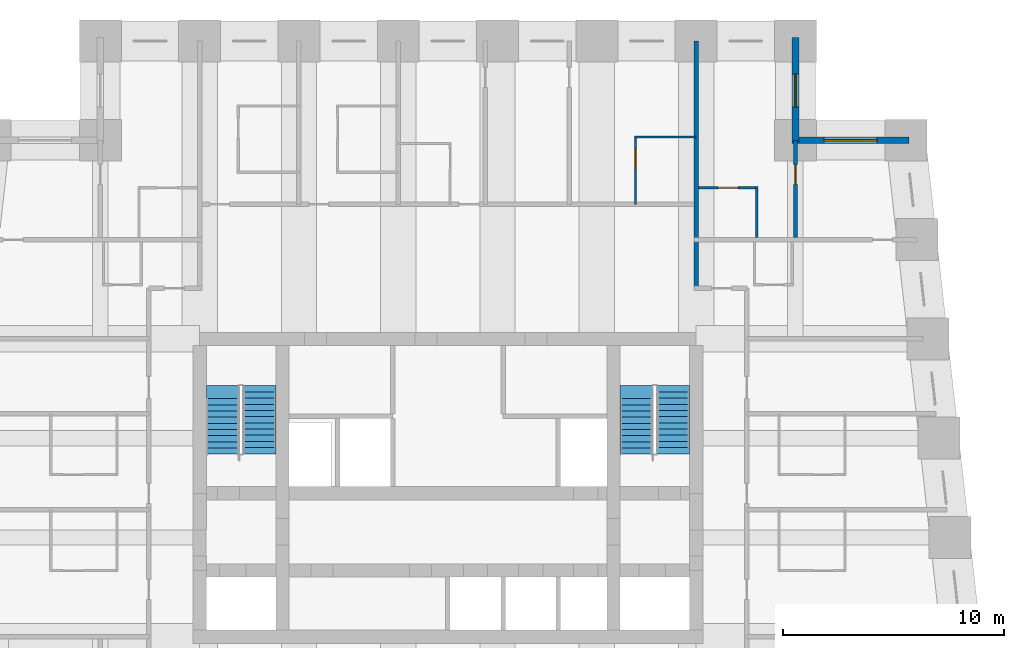
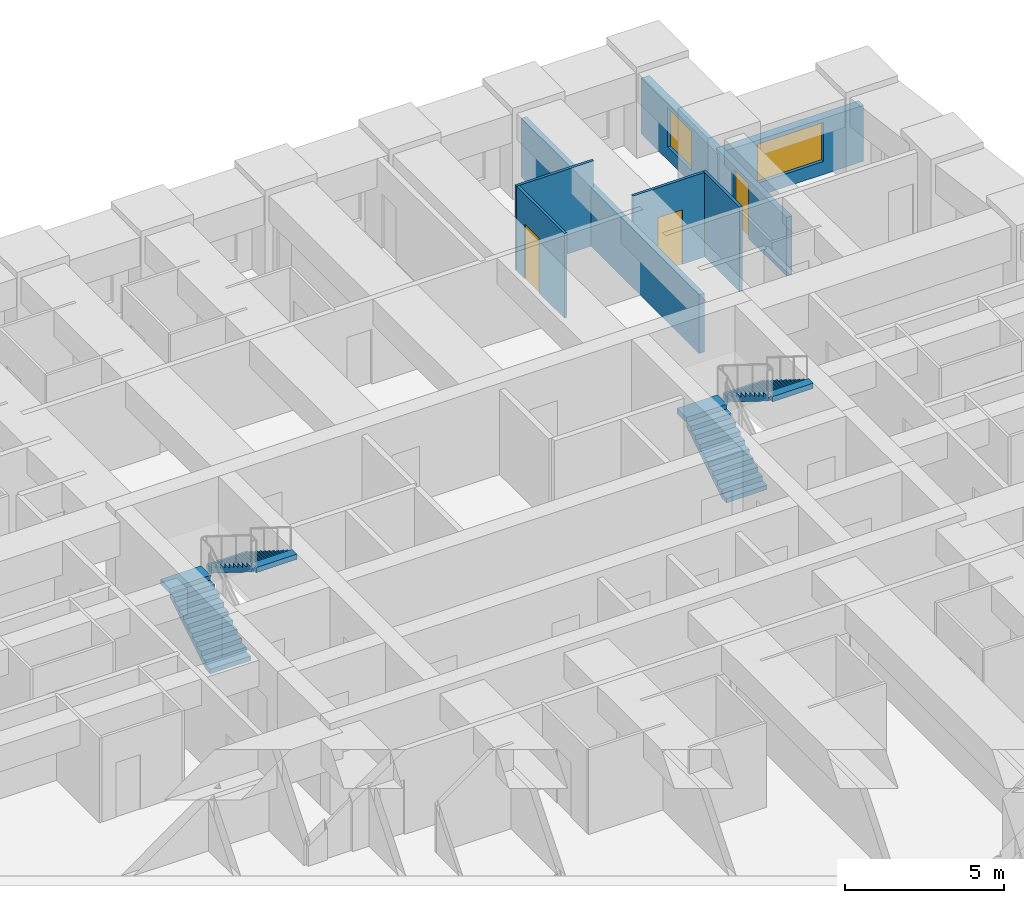
# One storey, part 7 of 8: 8 walls, 4 stair flights, 3 doors, 2 windows, 5 openings, 2 elements without a shape of their own.
"""IFC4 building model written with IfcOpenShell, lengths in metres."""

from ifc_helpers import new_model, si_unit, direction, frame, frame_2d, origin, place, context, subcontext, project, spatial, polyline, rectangle, outline, extrude, material, layer, layer_set, type_object, element, fill, aggregate, save


model = new_model("IFC4")

# Units and contexts
model_context = context("Model", 3, precision=1e-05, world=origin(), true_north=direction((0.0, 1.0)))
body_context = subcontext(model_context, "Body", "Model", "MODEL_VIEW")
ifc_project = project(units=[si_unit("LENGTHUNIT", "METRE"), si_unit("AREAUNIT", "SQUARE_METRE"), si_unit("VOLUMEUNIT", "CUBIC_METRE"), si_unit("PLANEANGLEUNIT", "RADIAN"), si_unit("MASSUNIT", "GRAM", prefix="KILO")], contexts=[model_context])

# Site, building, storey
site_placement = place(None, origin())
site = spatial("IfcSite", under=ifc_project, at=site_placement, CompositionType="ELEMENT")
building_placement = place(site_placement, origin())
building = spatial("IfcBuilding", under=site, at=building_placement, Name="Kilele Tower Hotel", CompositionType="ELEMENT")
storey_placement = place(building_placement, frame((0.0, 0.0, 103.89990234375)))
storey = spatial("IfcBuildingStorey", under=building, at=storey_placement, Name="L26", CompositionType="ELEMENT", Elevation=103.89990234375)

# Wall
ifc_material_1 = material(Name="Moisture-resistant board")
ifc_layer_1 = layer(ifc_material_1, 0.10009765625)
ifc_layer_set_1 = layer_set([ifc_layer_1], Name="Moisture-resistant board")
wall_type_1 = type_object("IfcWallType", Name="Bathroom partition 100", PredefinedType="PLUMBINGWALL", material=ifc_layer_set_1)
wall_1_placement = place(storey_placement, frame((33.199951171875, 36.14990234375, 0.0), z_axis=(0.0, 0.0, 1.0), x_axis=(1.0, 0.0, 0.0)))
element("IfcWall", 1, at=wall_1_placement, inside=storey, type_object=wall_type_1, Name="Bathroom partition 100 L26", PredefinedType="PLUMBINGWALL", context=body_context, shape_type="SweptSolid", body=[
    extrude(rectangle(XDim=2.800048828125, YDim=0.10009765625, at=frame_2d((1.39990234375, 0.0))), origin(), (0.0, 0.0, 1.0), 3.25),
])

# Wall, opening, door
wall_2_placement = place(storey_placement, frame((33.25, 33.10009765625, 0.0), z_axis=(0.0, 0.0, 1.0), x_axis=(0.0, 1.0, 0.0)))
wall_2 = element("IfcWall", 2, at=wall_2_placement, inside=storey, type_object=wall_type_1, Name="Bathroom partition 100 L26", PredefinedType="PLUMBINGWALL", context=body_context, shape_type="SweptSolid", body=[
    extrude(rectangle(XDim=3.099853515625, YDim=0.10009765625, at=frame_2d((1.5498046875, 0.0))), origin(), (0.0, 0.0, 1.0), 3.25),
])
opening_1_placement = place(wall_2_placement, frame((1.60009765625, 0.0, 0.0)))
opening_1 = element("IfcOpeningElement", 3, at=opening_1_placement, cuts=wall_2, Name="Opening D2A", PredefinedType="OPENING", context=body_context, shape_type="SweptSolid", body=[
    extrude(rectangle(XDim=0.89990234375, YDim=2.10009765625, at=frame_2d((0.449951171875, 1.050048828125))), frame((0.0, 0.06005859375, 0.0), z_axis=(0.0, -1.0, 0.0), x_axis=(1.0, 0.0, 0.0)), (0.0, 0.0, 1.0), 0.1201171875),
])
ifc_material_2 = material(Name="Timber door leaf in hardwood frame", Category="wood")
door_type_1 = type_object("IfcDoorType", Name="Bathroom door 900", OperationType="SINGLE_SWING_LEFT", PredefinedType="DOOR", material=ifc_material_2)
door_1_placement = place(opening_1_placement, origin())
door_1 = element("IfcDoor", 4, at=door_1_placement, inside=storey, type_object=door_type_1, Name="Bathroom door 2613B", OperationType="SINGLE_SWING_LEFT", OverallHeight=2.10009765625, OverallWidth=0.89990234375, PredefinedType="DOOR", context=body_context, shape_type="SweptSolid", body=[
    extrude(rectangle(XDim=0.89990234375, YDim=2.10009765625, at=frame_2d((0.449951171875, 1.050048828125))), frame((0.0, 0.02490234375, 0.0), z_axis=(0.0, -1.0, 0.0), x_axis=(1.0, 0.0, 0.0)), (0.0, 0.0, 1.0), 0.050048828125),
])
fill(opening_1, door_1)

# Wall
wall_3_placement = place(storey_placement, frame((38.75, 31.60009765625, 0.0), z_axis=(0.0, 0.0, 1.0), x_axis=(0.0, 1.0, 0.0)))
element("IfcWall", 5, at=wall_3_placement, inside=storey, type_object=wall_type_1, Name="Bathroom partition 100 L26", PredefinedType="PLUMBINGWALL", context=body_context, shape_type="SweptSolid", body=[
    extrude(rectangle(XDim=2.2998046875, YDim=0.10009765625, at=frame_2d((1.14990234375, 0.0))), origin(), (0.0, 0.0, 1.0), 3.25),
])

# Wall, opening, door
wall_4_placement = place(storey_placement, frame((36.10009765625, 33.85009765625, 0.0), z_axis=(0.0, 0.0, 1.0), x_axis=(1.0, 0.0, 0.0)))
wall_4 = element("IfcWall", 6, at=wall_4_placement, inside=storey, type_object=wall_type_1, Name="Bathroom partition 100 L26", PredefinedType="PLUMBINGWALL", context=body_context, shape_type="SweptSolid", body=[
    extrude(rectangle(XDim=2.699951171875, YDim=0.10009765625, at=frame_2d((1.35009765625, 0.0))), origin(), (0.0, 0.0, 1.0), 3.25),
])
opening_2_placement = place(wall_4_placement, frame((0.89990234375, 0.0, 0.0)))
opening_2 = element("IfcOpeningElement", 7, at=opening_2_placement, cuts=wall_4, Name="Opening D2A", PredefinedType="OPENING", context=body_context, shape_type="SweptSolid", body=[
    extrude(rectangle(XDim=0.89990234375, YDim=2.10009765625, at=frame_2d((0.449951171875, 1.050048828125))), frame((0.0, 0.06005859375, 0.0), z_axis=(0.0, -1.0, 0.0), x_axis=(1.0, 0.0, 0.0)), (0.0, 0.0, 1.0), 0.1201171875),
])
door_2_placement = place(opening_2_placement, origin())
door_2 = element("IfcDoor", 8, at=door_2_placement, inside=storey, type_object=door_type_1, Name="Bathroom door 2624B", OperationType="SINGLE_SWING_LEFT", OverallHeight=2.10009765625, OverallWidth=0.89990234375, PredefinedType="DOOR", context=body_context, shape_type="SweptSolid", body=[
    extrude(rectangle(XDim=0.89990234375, YDim=2.10009765625, at=frame_2d((0.449951171875, 1.050048828125))), frame((0.0, 0.02490234375, 0.0), z_axis=(0.0, -1.0, 0.0), x_axis=(1.0, 0.0, 0.0)), (0.0, 0.0, 1.0), 0.050048828125),
])
fill(opening_2, door_2)

ifc_material_3 = material(Name="Blockwork, plastered both sides", Category="masonry")
ifc_layer_2 = layer(ifc_material_3, 0.199951171875)
ifc_layer_set_2 = layer_set([ifc_layer_2], Name="Blockwork, plastered both sides")
wall_type_2 = type_object("IfcWallType", Name="Partition wall 200", PredefinedType="PARTITIONING", material=ifc_layer_set_2)
wall_5_placement = place(storey_placement, frame((40.5, 31.60009765625, 0.0), z_axis=(0.0, 0.0, 1.0), x_axis=(0.0, 1.0, 0.0)))
wall_5 = element("IfcWall", 9, at=wall_5_placement, inside=storey, type_object=wall_type_2, Name="Partition wall 200 L26", PredefinedType="PARTITIONING", context=body_context, shape_type="SweptSolid", body=[
    extrude(rectangle(XDim=4.39990234375, YDim=0.199951171875, at=frame_2d((2.199951171875, 0.0))), origin(), (0.0, 0.0, 1.0), 2.25),
])
opening_3_placement = place(wall_5_placement, frame((2.39990234375, 0.0, 0.0)))
opening_3 = element("IfcOpeningElement", 10, at=opening_3_placement, cuts=wall_5, Name="Opening D3", PredefinedType="OPENING", context=body_context, shape_type="SweptSolid", body=[
    extrude(rectangle(XDim=0.89990234375, YDim=2.10009765625, at=frame_2d((0.449951171875, 1.050048828125))), frame((0.0, 0.10986328125, 0.0), z_axis=(0.0, -1.0, 0.0), x_axis=(1.0, 0.0, 0.0)), (0.0, 0.0, 1.0), 0.219970703125),
])
ifc_material_4 = material(Name="Timber door leaf in hardwood frame", Category="wood")
door_type_2 = type_object("IfcDoorType", Name="Suite internal door 900", OperationType="SINGLE_SWING_LEFT", PredefinedType="DOOR", material=ifc_material_4)
door_3_placement = place(opening_3_placement, origin())
door_3 = element("IfcDoor", 11, at=door_3_placement, inside=storey, type_object=door_type_2, Name="Suite door 2625", OperationType="SINGLE_SWING_RIGHT", OverallHeight=2.10009765625, OverallWidth=0.89990234375, PredefinedType="DOOR", context=body_context, shape_type="SweptSolid", body=[
    extrude(rectangle(XDim=0.89990234375, YDim=2.10009765625, at=frame_2d((0.449951171875, 1.050048828125))), frame((0.0, 0.02490234375, 0.0), z_axis=(0.0, -1.0, 0.0), x_axis=(1.0, 0.0, 0.0)), (0.0, 0.0, 1.0), 0.050048828125),
])
fill(opening_3, door_3)

# Wall
ifc_material_5 = material(Name="Blockwork, plastered both sides", Category="masonry")
ifc_layer_3 = layer(ifc_material_5, 0.199951171875)
ifc_layer_set_3 = layer_set([ifc_layer_3], Name="Blockwork, plastered both sides")
wall_type_3 = type_object("IfcWallType", Name="Party wall 200", PredefinedType="PARTITIONING", material=ifc_layer_set_3)
wall_6_placement = place(storey_placement, frame((36.0, 29.300048828125, 0.0), z_axis=(0.0, 0.0, 1.0), x_axis=(0.0, 1.0, 0.0)))
element("IfcWall", 12, at=wall_6_placement, inside=storey, type_object=wall_type_3, Name="Party wall 200 L26", PredefinedType="PARTITIONING", context=body_context, shape_type="SweptSolid", body=[
    extrude(rectangle(XDim=11.199951171875, YDim=0.199951171875, at=frame_2d((5.60009765625, 0.0))), origin(), (0.0, 0.0, 1.0), 2.25),
])

# Wall, opening, window
ifc_material_6 = material(Name="Concrete C40/50 precast", Category="concrete")
ifc_layer_4 = layer(ifc_material_6, 0.260009765625, Name="Precast backing", Category="LoadBearing")
ifc_material_7 = material(Name="Reconstituted stone finish", Category="masonry")
ifc_layer_5 = layer(ifc_material_7, 0.0400390625, Name="Face mix", Category="Finish")
ifc_layer_set_4 = layer_set([ifc_layer_4, ifc_layer_5], Name="Precast concrete C40/50, reconstituted stone finish")
wall_type_4 = type_object("IfcWallType", Name="Precast stone facade wall 300", PredefinedType="STANDARD", material=ifc_layer_set_4)
wall_7_placement = place(storey_placement, frame((45.64990234375, 36.0, 0.0), z_axis=(0.0, 0.0, 1.0), x_axis=(-1.0, 0.0, 0.0)))
wall_7 = element("IfcWall", 13, at=wall_7_placement, inside=storey, type_object=wall_type_4, Name="Facade wall L26 edge 7", PredefinedType="STANDARD", context=body_context, shape_type="SweptSolid", body=[
    extrude(rectangle(XDim=5.2998046875, YDim=0.300048828125, at=frame_2d((2.64990234375, 0.0))), origin(), (0.0, 0.0, 1.0), 2.150146484375),
])
opening_4_placement = place(wall_7_placement, frame((1.449951171875, 0.0, 0.5)))
opening_4 = element("IfcOpeningElement", 14, at=opening_4_placement, cuts=wall_7, Name="Opening W2", PredefinedType="OPENING", context=body_context, shape_type="SweptSolid", body=[
    extrude(rectangle(XDim=2.39990234375, YDim=1.5, at=frame_2d((1.199951171875, 0.75))), frame((0.0, 0.159912109375, 0.0), z_axis=(0.0, -1.0, 0.0), x_axis=(1.0, 0.0, 0.0)), (0.0, 0.0, 1.0), 0.320068359375),
])
ifc_material_8 = material(Name="Aluminium frame, clear double glazing", Category="aluminium")
window_type_1 = type_object("IfcWindowType", Name="Window W2 2400 x 1500", PartitioningType="SINGLE_PANEL", PredefinedType="WINDOW", material=ifc_material_8)
window_1_placement = place(opening_4_placement, origin())
window_1 = element("IfcWindow", 15, at=window_1_placement, inside=storey, type_object=window_type_1, Name="Window L26", OverallHeight=1.5, OverallWidth=2.39990234375, PartitioningType="SINGLE_PANEL", PredefinedType="WINDOW", context=body_context, shape_type="SweptSolid", body=[
    extrude(rectangle(XDim=2.39990234375, YDim=1.5, at=frame_2d((1.199951171875, 0.75))), frame((0.0, 0.030029296875, 0.0), z_axis=(0.0, -1.0, 0.0), x_axis=(1.0, 0.0, 0.0)), (0.0, 0.0, 1.0), 0.06005859375),
])
fill(opening_4, window_1)

wall_8_placement = place(storey_placement, frame((40.5, 35.85009765625, 0.0), z_axis=(0.0, 0.0, 1.0), x_axis=(0.0, 1.0, 0.0)))
wall_8 = element("IfcWall", 16, at=wall_8_placement, inside=storey, type_object=wall_type_4, Name="Facade wall L26 edge 8", PredefinedType="STANDARD", context=body_context, shape_type="SweptSolid", body=[
    extrude(rectangle(XDim=4.7998046875, YDim=0.300048828125, at=frame_2d((2.39990234375, 0.0))), origin(), (0.0, 0.0, 1.0), 2.150146484375),
])
opening_5_placement = place(wall_8_placement, frame((1.64990234375, 0.0, 0.5)))
opening_5 = element("IfcOpeningElement", 17, at=opening_5_placement, cuts=wall_8, Name="Opening W2", PredefinedType="OPENING", context=body_context, shape_type="SweptSolid", body=[
    extrude(rectangle(XDim=1.5, YDim=1.5, at=frame_2d((0.75, 0.75))), frame((0.0, 0.159912109375, 0.0), z_axis=(0.0, -1.0, 0.0), x_axis=(1.0, 0.0, 0.0)), (0.0, 0.0, 1.0), 0.320068359375),
])
ifc_material_9 = material(Name="Aluminium frame, clear double glazing", Category="aluminium")
window_type_2 = type_object("IfcWindowType", Name="Window W2 1500 x 1500", PartitioningType="SINGLE_PANEL", PredefinedType="WINDOW", material=ifc_material_9)
window_2_placement = place(opening_5_placement, origin())
window_2 = element("IfcWindow", 18, at=window_2_placement, inside=storey, type_object=window_type_2, Name="Window L26", OverallHeight=1.5, OverallWidth=1.5, PartitioningType="SINGLE_PANEL", PredefinedType="WINDOW", context=body_context, shape_type="SweptSolid", body=[
    extrude(rectangle(XDim=1.5, YDim=1.5, at=frame_2d((0.75, 0.75))), frame((0.0, 0.030029296875, 0.0), z_axis=(0.0, -1.0, 0.0), x_axis=(1.0, 0.0, 0.0)), (0.0, 0.0, 1.0), 0.06005859375),
])
fill(opening_5, window_2)

# Stair, stair flights
ifc_material_10 = material(Name="Precast concrete C40/50", Category="concrete")
stair_type = type_object("IfcStairType", Name="Stair 1475 x 3500", PredefinedType="HALF_TURN_STAIR", material=ifc_material_10)
stair_1_placement = place(storey_placement, origin())
stair_1 = element("IfcStair", 19, at=stair_1_placement, inside=storey, type_object=stair_type, Name="Stair 1 L26", PredefinedType="HALF_TURN_STAIR")
ifc_material_11 = material(Name="Precast concrete C40/50", Category="concrete")
stair_flight_type = type_object("IfcStairFlightType", Name="Flight 1475 riser 175.0", PredefinedType="STRAIGHT", material=ifc_material_11)
stair_flight_1_placement = place(storey_placement, frame((14.53759765625, 21.77490234375, 0.0), z_axis=(0.0, 0.0, 1.0), x_axis=(0.0, 1.0, 0.0)))
stair_flight_1 = element("IfcStairFlight", 20, at=stair_flight_1_placement, type_object=stair_flight_type, Name="ST1 flight 1", NumberOfRisers=10, NumberOfTreads=9, PredefinedType="STRAIGHT", RiserHeight=0.175, TreadLength=0.28, context=body_context, shape_type="SweptSolid", body=[
    extrude(outline(polyline([(0.0, 0.0), (0.0, 0.175048828125), (0.280029296875, 0.175048828125), (0.280029296875, 0.35009765625), (0.56005859375, 0.35009765625), (0.56005859375, 0.52490234375), (0.840087890625, 0.52490234375), (0.840087890625, 0.699951171875), (1.1201171875, 0.699951171875), (1.1201171875, 0.875), (1.39990234375, 0.875), (1.39990234375, 1.050048828125), (1.679931640625, 1.050048828125), (1.679931640625, 1.22509765625), (1.9599609375, 1.22509765625), (1.9599609375, 1.39990234375), (2.239990234375, 1.39990234375), (2.239990234375, 1.574951171875), (2.52001953125, 1.574951171875), (2.52001953125, 1.75), (2.52001953125, 1.398193359375), (0.28271484375, 0.0), (0.0, 0.0)])), frame((0.0, 0.737548828125, 0.0), z_axis=(0.0, -1.0, 0.0), x_axis=(1.0, 0.0, 0.0)), (0.0, 0.0, 1.0), 1.47509765625),
    extrude(outline(polyline([(2.52001953125, 0.737548828125), (2.52001953125, -0.7373046875), (3.1201171875, -0.7373046875), (3.1201171875, 0.737548828125), (2.52001953125, 0.737548828125)])), frame((0.0, 0.0, 1.550048828125)), (0.0, 0.0, 1.0), 0.199951171875),
])
stair_flight_2_placement = place(storey_placement, frame((16.21240234375, 24.594970703125, 1.75), z_axis=(0.0, 0.0, 1.0), x_axis=(0.0, -1.0, 0.0)))
stair_flight_2 = element("IfcStairFlight", 21, at=stair_flight_2_placement, type_object=stair_flight_type, Name="ST1 flight 2", NumberOfRisers=10, NumberOfTreads=9, PredefinedType="STRAIGHT", RiserHeight=0.175, TreadLength=0.28, context=body_context, shape_type="SweptSolid", body=[
    extrude(outline(polyline([(0.0, 0.0), (0.0, 0.175048828125), (0.280029296875, 0.175048828125), (0.280029296875, 0.35009765625), (0.56005859375, 0.35009765625), (0.56005859375, 0.52490234375), (0.840087890625, 0.52490234375), (0.840087890625, 0.699951171875), (1.1201171875, 0.699951171875), (1.1201171875, 0.875), (1.39990234375, 0.875), (1.39990234375, 1.050048828125), (1.679931640625, 1.050048828125), (1.679931640625, 1.22509765625), (1.9599609375, 1.22509765625), (1.9599609375, 1.39990234375), (2.239990234375, 1.39990234375), (2.239990234375, 1.574951171875), (2.52001953125, 1.574951171875), (2.52001953125, 1.75), (2.52001953125, 1.398193359375), (0.28271484375, 0.0), (0.0, 0.0)])), frame((0.0, 0.737548828125, 0.0), z_axis=(0.0, -1.0, 0.0), x_axis=(1.0, 0.0, 0.0)), (0.0, 0.0, 1.0), 1.47509765625),
    extrude(outline(polyline([(0.0, -0.7373046875), (0.0, 0.737548828125), (-0.300048828125, 0.737548828125), (-0.300048828125, -0.7373046875), (0.0, -0.7373046875)])), frame((0.0, 0.0, -0.199951171875)), (0.0, 0.0, 1.0), 0.199951171875),
    extrude(outline(polyline([(2.820068359375, -0.7373046875), (2.820068359375, 0.737548828125), (2.52001953125, 0.737548828125), (2.52001953125, -0.7373046875), (2.820068359375, -0.7373046875)])), frame((0.0, 0.0, 1.550048828125)), (0.0, 0.0, 1.0), 0.199951171875),
])
aggregate(stair_1, [stair_flight_1, stair_flight_2])

stair_2_placement = place(storey_placement, origin())
stair_2 = element("IfcStair", 22, at=stair_2_placement, inside=storey, type_object=stair_type, Name="Stair 2 L26", PredefinedType="HALF_TURN_STAIR")
stair_flight_3_placement = place(storey_placement, frame((33.28759765625, 21.77490234375, 0.0), z_axis=(0.0, 0.0, 1.0), x_axis=(0.0, 1.0, 0.0)))
stair_flight_3 = element("IfcStairFlight", 23, at=stair_flight_3_placement, type_object=stair_flight_type, Name="ST2 flight 1", NumberOfRisers=10, NumberOfTreads=9, PredefinedType="STRAIGHT", RiserHeight=0.175, TreadLength=0.28, context=body_context, shape_type="SweptSolid", body=[
    extrude(outline(polyline([(0.0, 0.0), (0.0, 0.175048828125), (0.280029296875, 0.175048828125), (0.280029296875, 0.35009765625), (0.56005859375, 0.35009765625), (0.56005859375, 0.52490234375), (0.840087890625, 0.52490234375), (0.840087890625, 0.699951171875), (1.1201171875, 0.699951171875), (1.1201171875, 0.875), (1.39990234375, 0.875), (1.39990234375, 1.050048828125), (1.679931640625, 1.050048828125), (1.679931640625, 1.22509765625), (1.9599609375, 1.22509765625), (1.9599609375, 1.39990234375), (2.239990234375, 1.39990234375), (2.239990234375, 1.574951171875), (2.52001953125, 1.574951171875), (2.52001953125, 1.75), (2.52001953125, 1.398193359375), (0.28271484375, 0.0), (0.0, 0.0)])), frame((0.0, 0.737548828125, 0.0), z_axis=(0.0, -1.0, 0.0), x_axis=(1.0, 0.0, 0.0)), (0.0, 0.0, 1.0), 1.47509765625),
    extrude(outline(polyline([(2.52001953125, 0.737548828125), (2.52001953125, -0.7373046875), (3.1201171875, -0.7373046875), (3.1201171875, 0.737548828125), (2.52001953125, 0.737548828125)])), frame((0.0, 0.0, 1.550048828125)), (0.0, 0.0, 1.0), 0.199951171875),
])
stair_flight_4_placement = place(storey_placement, frame((34.96240234375, 24.594970703125, 1.75), z_axis=(0.0, 0.0, 1.0), x_axis=(0.0, -1.0, 0.0)))
stair_flight_4 = element("IfcStairFlight", 24, at=stair_flight_4_placement, type_object=stair_flight_type, Name="ST2 flight 2", NumberOfRisers=10, NumberOfTreads=9, PredefinedType="STRAIGHT", RiserHeight=0.175, TreadLength=0.28, context=body_context, shape_type="SweptSolid", body=[
    extrude(outline(polyline([(0.0, 0.0), (0.0, 0.175048828125), (0.280029296875, 0.175048828125), (0.280029296875, 0.35009765625), (0.56005859375, 0.35009765625), (0.56005859375, 0.52490234375), (0.840087890625, 0.52490234375), (0.840087890625, 0.699951171875), (1.1201171875, 0.699951171875), (1.1201171875, 0.875), (1.39990234375, 0.875), (1.39990234375, 1.050048828125), (1.679931640625, 1.050048828125), (1.679931640625, 1.22509765625), (1.9599609375, 1.22509765625), (1.9599609375, 1.39990234375), (2.239990234375, 1.39990234375), (2.239990234375, 1.574951171875), (2.52001953125, 1.574951171875), (2.52001953125, 1.75), (2.52001953125, 1.398193359375), (0.28271484375, 0.0), (0.0, 0.0)])), frame((0.0, 0.737548828125, 0.0), z_axis=(0.0, -1.0, 0.0), x_axis=(1.0, 0.0, 0.0)), (0.0, 0.0, 1.0), 1.47509765625),
    extrude(outline(polyline([(0.0, -0.7373046875), (0.0, 0.737548828125), (-0.300048828125, 0.737548828125), (-0.300048828125, -0.7373046875), (0.0, -0.7373046875)])), frame((0.0, 0.0, -0.199951171875)), (0.0, 0.0, 1.0), 0.199951171875),
    extrude(outline(polyline([(2.820068359375, -0.7373046875), (2.820068359375, 0.737548828125), (2.52001953125, 0.737548828125), (2.52001953125, -0.7373046875), (2.820068359375, -0.7373046875)])), frame((0.0, 0.0, 1.550048828125)), (0.0, 0.0, 1.0), 0.199951171875),
])
aggregate(stair_2, [stair_flight_3, stair_flight_4])

save(model, "model.ifc")
